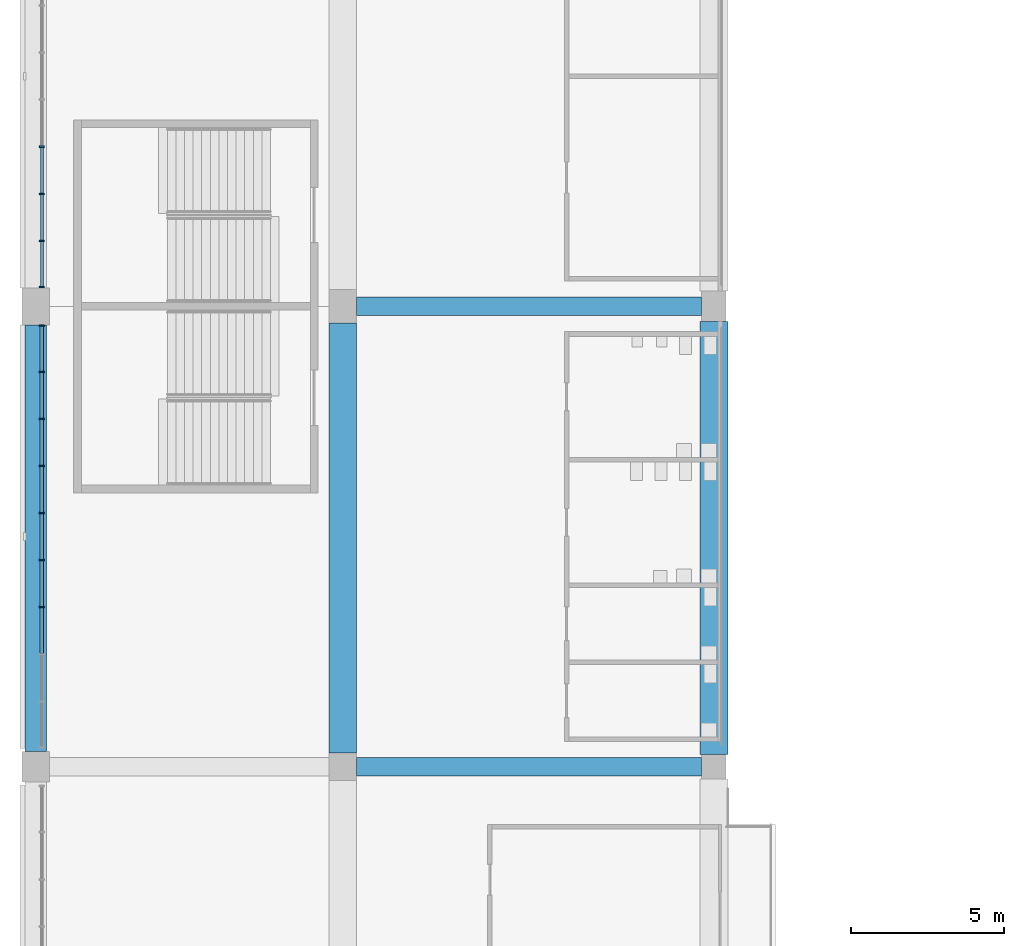
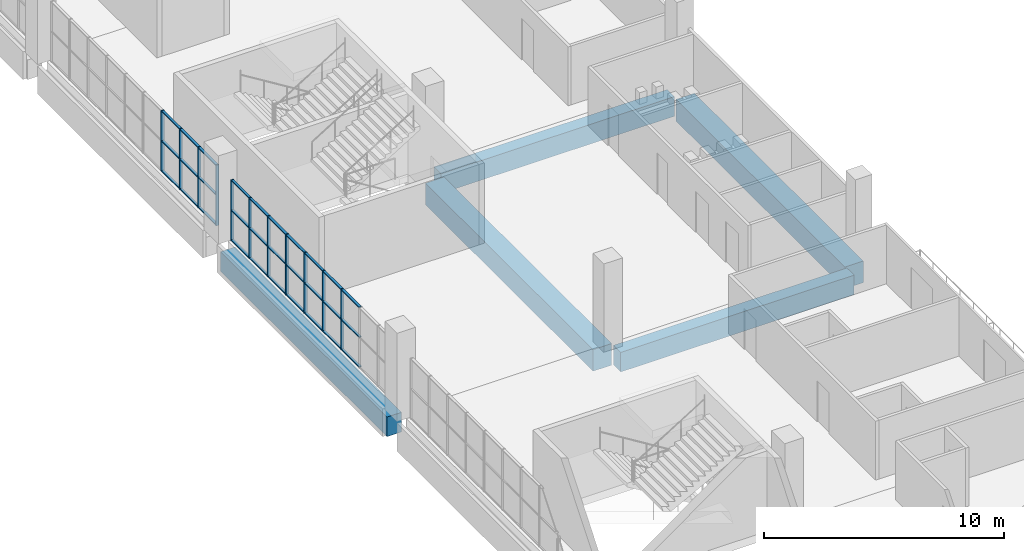
# One storey, part 18 of 199: 41 members, 5 beams, 2 elements without a shape of their own.
"""IFC4 building model written with IfcOpenShell, lengths in metres."""

from ifc_helpers import new_model, si_unit, direction, frame, origin, origin_2d, place, context, subcontext, project, spatial, rectangle, extrude, material, material_profile, profile_set, type_object, element, aggregate, save


model = new_model("IFC4")

# Units and contexts
model_context = context("Model", 3, precision=1e-05, world=origin(), true_north=direction((0.0, 1.0)))
body_context = subcontext(model_context, "Body", "Model", "MODEL_VIEW")
ifc_project = project(units=[si_unit("LENGTHUNIT", "METRE"), si_unit("AREAUNIT", "SQUARE_METRE"), si_unit("VOLUMEUNIT", "CUBIC_METRE"), si_unit("PLANEANGLEUNIT", "RADIAN"), si_unit("MASSUNIT", "GRAM", prefix="KILO")], contexts=[model_context])

# Site, building, storey
site_placement = place(None, origin())
site = spatial("IfcSite", under=ifc_project, at=site_placement, CompositionType="ELEMENT")
building_placement = place(site_placement, origin())
building = spatial("IfcBuilding", under=site, at=building_placement, Name="Ogive Plaza Stadium", CompositionType="ELEMENT")
storey_placement = place(building_placement, frame((0.0, 0.0, 9.0)))
storey = spatial("IfcBuildingStorey", under=building, at=storey_placement, Name="L02", CompositionType="ELEMENT", Elevation=9.0)

# Curtain wall, members
ifc_material_1 = material(Name="Bronze-anodised aluminium with laminated glass", Category="aluminium")
curtain_wall_type = type_object("IfcCurtainWallType", Name="Lancet curtain wall", PredefinedType="NOTDEFINED", material=ifc_material_1)
curtain_wall_1_placement = place(storey_placement, origin())
curtain_wall_1 = element("IfcCurtainWall", 1, at=curtain_wall_1_placement, inside=storey, type_object=curtain_wall_type, Name="CURTAIN WALL B23 L02", PredefinedType="NOTDEFINED")
ifc_material_2 = material(Name="Bronze-anodised aluminium", Category="aluminium")
ifc_material_profile_1 = material_profile(ifc_material_2, rectangle(XDim=0.14990234375, YDim=0.050048828125, at=origin_2d()), Name="AL 150x50")
ifc_profile_set_1 = profile_set([ifc_material_profile_1], Name="Bronze-anodised aluminium")
member_type_1 = type_object("IfcMemberType", Name="Curtain wall mullion 50x150", PredefinedType="MULLION", material=ifc_profile_set_1)
member_1_placement = place(storey_placement, frame((-83.800048828125, -17.300048828125, 0.0), z_axis=(0.0, 0.0, 1.0), x_axis=(-1.0, 0.0, 0.0)))
member_1 = element("IfcMember", 2, at=member_1_placement, type_object=member_type_1, Name="CW-B23-L02 mullion 4", PredefinedType="MULLION", context=body_context, shape_type="SweptSolid", body=[
    extrude(rectangle(XDim=0.14990234375, YDim=0.050048828125, at=origin_2d()), origin(), (0.0, 0.0, 1.0), 3.090087890625),
])
member_2_placement = place(storey_placement, frame((-83.800048828125, -15.7666015625, 0.0), z_axis=(0.0, 0.0, 1.0), x_axis=(-1.0, 0.0, 0.0)))
member_2 = element("IfcMember", 3, at=member_2_placement, type_object=member_type_1, Name="CW-B23-L02 mullion 5", PredefinedType="MULLION", context=body_context, shape_type="SweptSolid", body=[
    extrude(rectangle(XDim=0.14990234375, YDim=0.050048828125, at=origin_2d()), origin(), (0.0, 0.0, 1.0), 3.090087890625),
])
member_3_placement = place(storey_placement, frame((-83.800048828125, -14.2333984375, 0.0), z_axis=(0.0, 0.0, 1.0), x_axis=(-1.0, 0.0, 0.0)))
member_3 = element("IfcMember", 4, at=member_3_placement, type_object=member_type_1, Name="CW-B23-L02 mullion 6", PredefinedType="MULLION", context=body_context, shape_type="SweptSolid", body=[
    extrude(rectangle(XDim=0.14990234375, YDim=0.050048828125, at=origin_2d()), origin(), (0.0, 0.0, 1.0), 3.090087890625),
])
member_4_placement = place(storey_placement, frame((-83.800048828125, -12.699951171875, 0.0), z_axis=(0.0, 0.0, 1.0), x_axis=(-1.0, 0.0, 0.0)))
member_4 = element("IfcMember", 5, at=member_4_placement, type_object=member_type_1, Name="CW-B23-L02 mullion 7", PredefinedType="MULLION", context=body_context, shape_type="SweptSolid", body=[
    extrude(rectangle(XDim=0.14990234375, YDim=0.050048828125, at=origin_2d()), origin(), (0.0, 0.0, 1.0), 3.090087890625),
])
member_5_placement = place(storey_placement, frame((-83.800048828125, -11.166748046875, 0.0), z_axis=(0.0, 0.0, 1.0), x_axis=(-1.0, 0.0, 0.0)))
member_5 = element("IfcMember", 6, at=member_5_placement, type_object=member_type_1, Name="CW-B23-L02 mullion 8", PredefinedType="MULLION", context=body_context, shape_type="SweptSolid", body=[
    extrude(rectangle(XDim=0.14990234375, YDim=0.050048828125, at=origin_2d()), origin(), (0.0, 0.0, 1.0), 3.090087890625),
])
member_6_placement = place(storey_placement, frame((-83.800048828125, -9.63330078125, 0.0), z_axis=(0.0, 0.0, 1.0), x_axis=(-1.0, 0.0, 0.0)))
member_6 = element("IfcMember", 7, at=member_6_placement, type_object=member_type_1, Name="CW-B23-L02 mullion 9", PredefinedType="MULLION", context=body_context, shape_type="SweptSolid", body=[
    extrude(rectangle(XDim=0.14990234375, YDim=0.050048828125, at=origin_2d()), origin(), (0.0, 0.0, 1.0), 3.090087890625),
])
member_7_placement = place(storey_placement, frame((-83.800048828125, -8.125, 0.0), z_axis=(0.0, 0.0, 1.0), x_axis=(-1.0, 0.0, 0.0)))
member_7 = element("IfcMember", 8, at=member_7_placement, type_object=member_type_1, Name="CW-B23-L02 mullion 10", PredefinedType="MULLION", context=body_context, shape_type="SweptSolid", body=[
    extrude(rectangle(XDim=0.14990234375, YDim=0.050048828125, at=origin_2d()), origin(), (0.0, 0.0, 1.0), 3.090087890625),
])

curtain_wall_2_placement = place(storey_placement, origin())
curtain_wall_2 = element("IfcCurtainWall", 9, at=curtain_wall_2_placement, inside=storey, type_object=curtain_wall_type, Name="CURTAIN WALL B24 L02", PredefinedType="NOTDEFINED")
member_8_placement = place(storey_placement, frame((-83.800048828125, -6.875, 0.0), z_axis=(0.0, 0.0, 1.0), x_axis=(-1.0, 0.0, 0.0)))
member_8 = element("IfcMember", 10, at=member_8_placement, type_object=member_type_1, Name="CW-B24-L02 mullion 1", PredefinedType="MULLION", context=body_context, shape_type="SweptSolid", body=[
    extrude(rectangle(XDim=0.14990234375, YDim=0.050048828125, at=origin_2d()), origin(), (0.0, 0.0, 1.0), 3.090087890625),
])
member_9_placement = place(storey_placement, frame((-83.800048828125, -5.36669921875, 0.0), z_axis=(0.0, 0.0, 1.0), x_axis=(-1.0, 0.0, 0.0)))
member_9 = element("IfcMember", 11, at=member_9_placement, type_object=member_type_1, Name="CW-B24-L02 mullion 2", PredefinedType="MULLION", context=body_context, shape_type="SweptSolid", body=[
    extrude(rectangle(XDim=0.14990234375, YDim=0.050048828125, at=origin_2d()), origin(), (0.0, 0.0, 1.0), 3.090087890625),
])
member_10_placement = place(storey_placement, frame((-83.800048828125, -3.833251953125, 0.0), z_axis=(0.0, 0.0, 1.0), x_axis=(-1.0, 0.0, 0.0)))
member_10 = element("IfcMember", 12, at=member_10_placement, type_object=member_type_1, Name="CW-B24-L02 mullion 3", PredefinedType="MULLION", context=body_context, shape_type="SweptSolid", body=[
    extrude(rectangle(XDim=0.14990234375, YDim=0.050048828125, at=origin_2d()), origin(), (0.0, 0.0, 1.0), 3.090087890625),
])
member_11_placement = place(storey_placement, frame((-83.800048828125, -2.300048828125, 0.0), z_axis=(0.0, 0.0, 1.0), x_axis=(-1.0, 0.0, 0.0)))
member_11 = element("IfcMember", 13, at=member_11_placement, type_object=member_type_1, Name="CW-B24-L02 mullion 4", PredefinedType="MULLION", context=body_context, shape_type="SweptSolid", body=[
    extrude(rectangle(XDim=0.14990234375, YDim=0.050048828125, at=origin_2d()), origin(), (0.0, 0.0, 1.0), 3.090087890625),
])

# Member
ifc_material_3 = material(Name="Bronze-anodised aluminium", Category="aluminium")
ifc_material_profile_2 = material_profile(ifc_material_3, rectangle(XDim=0.1201171875, YDim=0.050048828125, at=origin_2d()), Name="AL 120x50")
ifc_profile_set_2 = profile_set([ifc_material_profile_2], Name="Bronze-anodised aluminium")
member_type_2 = type_object("IfcMemberType", Name="Curtain wall transom 50x120", PredefinedType="USERDEFINED", material=ifc_profile_set_2)
member_12_placement = place(storey_placement, frame((-83.800048828125, -18.808349609375, 0.02490234375), z_axis=(0.0, 1.0, 0.0), x_axis=(-1.0, 0.0, 0.0)))
member_12 = element("IfcMember", 14, at=member_12_placement, type_object=member_type_2, Name="CW-B23-L02 transom 3.1", ObjectType="TRANSOM", PredefinedType="USERDEFINED", context=body_context, shape_type="SweptSolid", body=[
    extrude(rectangle(XDim=0.1201171875, YDim=0.050048828125, at=origin_2d()), origin(), (0.0, 0.0, 1.0), 1.4833984375),
])

member_13_placement = place(storey_placement, frame((-83.800048828125, -18.808349609375, 1.544921875), z_axis=(0.0, 1.0, 0.0), x_axis=(-1.0, 0.0, 0.0)))
member_13 = element("IfcMember", 15, at=member_13_placement, type_object=member_type_2, Name="CW-B23-L02 transom 3.2", ObjectType="TRANSOM", PredefinedType="USERDEFINED", context=body_context, shape_type="SweptSolid", body=[
    extrude(rectangle(XDim=0.1201171875, YDim=0.050048828125, at=origin_2d()), origin(), (0.0, 0.0, 1.0), 1.4833984375),
])

member_14_placement = place(storey_placement, frame((-83.800048828125, -18.808349609375, 3.06494140625), z_axis=(0.0, 1.0, 0.0), x_axis=(-1.0, 0.0, 0.0)))
member_14 = element("IfcMember", 16, at=member_14_placement, type_object=member_type_2, Name="CW-B23-L02 transom 3.3", ObjectType="TRANSOM", PredefinedType="USERDEFINED", context=body_context, shape_type="SweptSolid", body=[
    extrude(rectangle(XDim=0.1201171875, YDim=0.050048828125, at=origin_2d()), origin(), (0.0, 0.0, 1.0), 1.4833984375),
])

member_15_placement = place(storey_placement, frame((-83.800048828125, -17.27490234375, 0.02490234375), z_axis=(0.0, 1.0, 0.0), x_axis=(-1.0, 0.0, 0.0)))
member_15 = element("IfcMember", 17, at=member_15_placement, type_object=member_type_2, Name="CW-B23-L02 transom 4.1", ObjectType="TRANSOM", PredefinedType="USERDEFINED", context=body_context, shape_type="SweptSolid", body=[
    extrude(rectangle(XDim=0.1201171875, YDim=0.050048828125, at=origin_2d()), origin(), (0.0, 0.0, 1.0), 1.483154296875),
])

member_16_placement = place(storey_placement, frame((-83.800048828125, -17.27490234375, 1.544921875), z_axis=(0.0, 1.0, 0.0), x_axis=(-1.0, 0.0, 0.0)))
member_16 = element("IfcMember", 18, at=member_16_placement, type_object=member_type_2, Name="CW-B23-L02 transom 4.2", ObjectType="TRANSOM", PredefinedType="USERDEFINED", context=body_context, shape_type="SweptSolid", body=[
    extrude(rectangle(XDim=0.1201171875, YDim=0.050048828125, at=origin_2d()), origin(), (0.0, 0.0, 1.0), 1.483154296875),
])

member_17_placement = place(storey_placement, frame((-83.800048828125, -17.27490234375, 3.06494140625), z_axis=(0.0, 1.0, 0.0), x_axis=(-1.0, 0.0, 0.0)))
member_17 = element("IfcMember", 19, at=member_17_placement, type_object=member_type_2, Name="CW-B23-L02 transom 4.3", ObjectType="TRANSOM", PredefinedType="USERDEFINED", context=body_context, shape_type="SweptSolid", body=[
    extrude(rectangle(XDim=0.1201171875, YDim=0.050048828125, at=origin_2d()), origin(), (0.0, 0.0, 1.0), 1.483154296875),
])

member_18_placement = place(storey_placement, frame((-83.800048828125, -15.74169921875, 0.02490234375), z_axis=(0.0, 1.0, 0.0), x_axis=(-1.0, 0.0, 0.0)))
member_18 = element("IfcMember", 20, at=member_18_placement, type_object=member_type_2, Name="CW-B23-L02 transom 5.1", ObjectType="TRANSOM", PredefinedType="USERDEFINED", context=body_context, shape_type="SweptSolid", body=[
    extrude(rectangle(XDim=0.1201171875, YDim=0.050048828125, at=origin_2d()), origin(), (0.0, 0.0, 1.0), 1.4833984375),
])

member_19_placement = place(storey_placement, frame((-83.800048828125, -15.74169921875, 1.544921875), z_axis=(0.0, 1.0, 0.0), x_axis=(-1.0, 0.0, 0.0)))
member_19 = element("IfcMember", 21, at=member_19_placement, type_object=member_type_2, Name="CW-B23-L02 transom 5.2", ObjectType="TRANSOM", PredefinedType="USERDEFINED", context=body_context, shape_type="SweptSolid", body=[
    extrude(rectangle(XDim=0.1201171875, YDim=0.050048828125, at=origin_2d()), origin(), (0.0, 0.0, 1.0), 1.4833984375),
])

member_20_placement = place(storey_placement, frame((-83.800048828125, -15.74169921875, 3.06494140625), z_axis=(0.0, 1.0, 0.0), x_axis=(-1.0, 0.0, 0.0)))
member_20 = element("IfcMember", 22, at=member_20_placement, type_object=member_type_2, Name="CW-B23-L02 transom 5.3", ObjectType="TRANSOM", PredefinedType="USERDEFINED", context=body_context, shape_type="SweptSolid", body=[
    extrude(rectangle(XDim=0.1201171875, YDim=0.050048828125, at=origin_2d()), origin(), (0.0, 0.0, 1.0), 1.4833984375),
])

member_21_placement = place(storey_placement, frame((-83.800048828125, -14.208251953125, 0.02490234375), z_axis=(0.0, 1.0, 0.0), x_axis=(-1.0, 0.0, 0.0)))
member_21 = element("IfcMember", 23, at=member_21_placement, type_object=member_type_2, Name="CW-B23-L02 transom 6.1", ObjectType="TRANSOM", PredefinedType="USERDEFINED", context=body_context, shape_type="SweptSolid", body=[
    extrude(rectangle(XDim=0.1201171875, YDim=0.050048828125, at=origin_2d()), origin(), (0.0, 0.0, 1.0), 1.483154296875),
])

member_22_placement = place(storey_placement, frame((-83.800048828125, -14.208251953125, 1.544921875), z_axis=(0.0, 1.0, 0.0), x_axis=(-1.0, 0.0, 0.0)))
member_22 = element("IfcMember", 24, at=member_22_placement, type_object=member_type_2, Name="CW-B23-L02 transom 6.2", ObjectType="TRANSOM", PredefinedType="USERDEFINED", context=body_context, shape_type="SweptSolid", body=[
    extrude(rectangle(XDim=0.1201171875, YDim=0.050048828125, at=origin_2d()), origin(), (0.0, 0.0, 1.0), 1.483154296875),
])

member_23_placement = place(storey_placement, frame((-83.800048828125, -14.208251953125, 3.06494140625), z_axis=(0.0, 1.0, 0.0), x_axis=(-1.0, 0.0, 0.0)))
member_23 = element("IfcMember", 25, at=member_23_placement, type_object=member_type_2, Name="CW-B23-L02 transom 6.3", ObjectType="TRANSOM", PredefinedType="USERDEFINED", context=body_context, shape_type="SweptSolid", body=[
    extrude(rectangle(XDim=0.1201171875, YDim=0.050048828125, at=origin_2d()), origin(), (0.0, 0.0, 1.0), 1.483154296875),
])

member_24_placement = place(storey_placement, frame((-83.800048828125, -12.675048828125, 0.02490234375), z_axis=(0.0, 1.0, 0.0), x_axis=(-1.0, 0.0, 0.0)))
member_24 = element("IfcMember", 26, at=member_24_placement, type_object=member_type_2, Name="CW-B23-L02 transom 7.1", ObjectType="TRANSOM", PredefinedType="USERDEFINED", context=body_context, shape_type="SweptSolid", body=[
    extrude(rectangle(XDim=0.1201171875, YDim=0.050048828125, at=origin_2d()), origin(), (0.0, 0.0, 1.0), 1.4833984375),
])

member_25_placement = place(storey_placement, frame((-83.800048828125, -12.675048828125, 1.544921875), z_axis=(0.0, 1.0, 0.0), x_axis=(-1.0, 0.0, 0.0)))
member_25 = element("IfcMember", 27, at=member_25_placement, type_object=member_type_2, Name="CW-B23-L02 transom 7.2", ObjectType="TRANSOM", PredefinedType="USERDEFINED", context=body_context, shape_type="SweptSolid", body=[
    extrude(rectangle(XDim=0.1201171875, YDim=0.050048828125, at=origin_2d()), origin(), (0.0, 0.0, 1.0), 1.4833984375),
])

member_26_placement = place(storey_placement, frame((-83.800048828125, -12.675048828125, 3.06494140625), z_axis=(0.0, 1.0, 0.0), x_axis=(-1.0, 0.0, 0.0)))
member_26 = element("IfcMember", 28, at=member_26_placement, type_object=member_type_2, Name="CW-B23-L02 transom 7.3", ObjectType="TRANSOM", PredefinedType="USERDEFINED", context=body_context, shape_type="SweptSolid", body=[
    extrude(rectangle(XDim=0.1201171875, YDim=0.050048828125, at=origin_2d()), origin(), (0.0, 0.0, 1.0), 1.4833984375),
])

member_27_placement = place(storey_placement, frame((-83.800048828125, -11.1416015625, 0.02490234375), z_axis=(0.0, 1.0, 0.0), x_axis=(-1.0, 0.0, 0.0)))
member_27 = element("IfcMember", 29, at=member_27_placement, type_object=member_type_2, Name="CW-B23-L02 transom 8.1", ObjectType="TRANSOM", PredefinedType="USERDEFINED", context=body_context, shape_type="SweptSolid", body=[
    extrude(rectangle(XDim=0.1201171875, YDim=0.050048828125, at=origin_2d()), origin(), (0.0, 0.0, 1.0), 1.483154296875),
])

member_28_placement = place(storey_placement, frame((-83.800048828125, -11.1416015625, 1.544921875), z_axis=(0.0, 1.0, 0.0), x_axis=(-1.0, 0.0, 0.0)))
member_28 = element("IfcMember", 30, at=member_28_placement, type_object=member_type_2, Name="CW-B23-L02 transom 8.2", ObjectType="TRANSOM", PredefinedType="USERDEFINED", context=body_context, shape_type="SweptSolid", body=[
    extrude(rectangle(XDim=0.1201171875, YDim=0.050048828125, at=origin_2d()), origin(), (0.0, 0.0, 1.0), 1.483154296875),
])

member_29_placement = place(storey_placement, frame((-83.800048828125, -11.1416015625, 3.06494140625), z_axis=(0.0, 1.0, 0.0), x_axis=(-1.0, 0.0, 0.0)))
member_29 = element("IfcMember", 31, at=member_29_placement, type_object=member_type_2, Name="CW-B23-L02 transom 8.3", ObjectType="TRANSOM", PredefinedType="USERDEFINED", context=body_context, shape_type="SweptSolid", body=[
    extrude(rectangle(XDim=0.1201171875, YDim=0.050048828125, at=origin_2d()), origin(), (0.0, 0.0, 1.0), 1.483154296875),
])

member_30_placement = place(storey_placement, frame((-83.800048828125, -9.6083984375, 0.02490234375), z_axis=(0.0, 1.0, 0.0), x_axis=(-1.0, 0.0, 0.0)))
member_30 = element("IfcMember", 32, at=member_30_placement, type_object=member_type_2, Name="CW-B23-L02 transom 9.1", ObjectType="TRANSOM", PredefinedType="USERDEFINED", context=body_context, shape_type="SweptSolid", body=[
    extrude(rectangle(XDim=0.1201171875, YDim=0.050048828125, at=origin_2d()), origin(), (0.0, 0.0, 1.0), 1.45849609375),
])

member_31_placement = place(storey_placement, frame((-83.800048828125, -9.6083984375, 1.544921875), z_axis=(0.0, 1.0, 0.0), x_axis=(-1.0, 0.0, 0.0)))
member_31 = element("IfcMember", 33, at=member_31_placement, type_object=member_type_2, Name="CW-B23-L02 transom 9.2", ObjectType="TRANSOM", PredefinedType="USERDEFINED", context=body_context, shape_type="SweptSolid", body=[
    extrude(rectangle(XDim=0.1201171875, YDim=0.050048828125, at=origin_2d()), origin(), (0.0, 0.0, 1.0), 1.45849609375),
])

member_32_placement = place(storey_placement, frame((-83.800048828125, -9.6083984375, 3.06494140625), z_axis=(0.0, 1.0, 0.0), x_axis=(-1.0, 0.0, 0.0)))
member_32 = element("IfcMember", 34, at=member_32_placement, type_object=member_type_2, Name="CW-B23-L02 transom 9.3", ObjectType="TRANSOM", PredefinedType="USERDEFINED", context=body_context, shape_type="SweptSolid", body=[
    extrude(rectangle(XDim=0.1201171875, YDim=0.050048828125, at=origin_2d()), origin(), (0.0, 0.0, 1.0), 1.45849609375),
])

aggregate(curtain_wall_1, [member_1, member_2, member_3, member_4, member_5, member_6, member_7, member_12, member_13, member_14, member_15, member_16, member_17, member_18, member_19, member_20, member_21, member_22, member_23, member_24, member_25, member_26, member_27, member_28, member_29, member_30, member_31, member_32])

member_33_placement = place(storey_placement, frame((-83.800048828125, -6.85009765625, 0.02490234375), z_axis=(0.0, 1.0, 0.0), x_axis=(-1.0, 0.0, 0.0)))
member_33 = element("IfcMember", 35, at=member_33_placement, type_object=member_type_2, Name="CW-B24-L02 transom 1.1", ObjectType="TRANSOM", PredefinedType="USERDEFINED", context=body_context, shape_type="SweptSolid", body=[
    extrude(rectangle(XDim=0.1201171875, YDim=0.050048828125, at=origin_2d()), origin(), (0.0, 0.0, 1.0), 1.45849609375),
])

member_34_placement = place(storey_placement, frame((-83.800048828125, -6.85009765625, 1.544921875), z_axis=(0.0, 1.0, 0.0), x_axis=(-1.0, 0.0, 0.0)))
member_34 = element("IfcMember", 36, at=member_34_placement, type_object=member_type_2, Name="CW-B24-L02 transom 1.2", ObjectType="TRANSOM", PredefinedType="USERDEFINED", context=body_context, shape_type="SweptSolid", body=[
    extrude(rectangle(XDim=0.1201171875, YDim=0.050048828125, at=origin_2d()), origin(), (0.0, 0.0, 1.0), 1.45849609375),
])

member_35_placement = place(storey_placement, frame((-83.800048828125, -6.85009765625, 3.06494140625), z_axis=(0.0, 1.0, 0.0), x_axis=(-1.0, 0.0, 0.0)))
member_35 = element("IfcMember", 37, at=member_35_placement, type_object=member_type_2, Name="CW-B24-L02 transom 1.3", ObjectType="TRANSOM", PredefinedType="USERDEFINED", context=body_context, shape_type="SweptSolid", body=[
    extrude(rectangle(XDim=0.1201171875, YDim=0.050048828125, at=origin_2d()), origin(), (0.0, 0.0, 1.0), 1.45849609375),
])

member_36_placement = place(storey_placement, frame((-83.800048828125, -5.341552734375, 0.02490234375), z_axis=(0.0, 1.0, 0.0), x_axis=(-1.0, 0.0, 0.0)))
member_36 = element("IfcMember", 38, at=member_36_placement, type_object=member_type_2, Name="CW-B24-L02 transom 2.1", ObjectType="TRANSOM", PredefinedType="USERDEFINED", context=body_context, shape_type="SweptSolid", body=[
    extrude(rectangle(XDim=0.1201171875, YDim=0.050048828125, at=origin_2d()), origin(), (0.0, 0.0, 1.0), 1.483154296875),
])

member_37_placement = place(storey_placement, frame((-83.800048828125, -5.341552734375, 1.544921875), z_axis=(0.0, 1.0, 0.0), x_axis=(-1.0, 0.0, 0.0)))
member_37 = element("IfcMember", 39, at=member_37_placement, type_object=member_type_2, Name="CW-B24-L02 transom 2.2", ObjectType="TRANSOM", PredefinedType="USERDEFINED", context=body_context, shape_type="SweptSolid", body=[
    extrude(rectangle(XDim=0.1201171875, YDim=0.050048828125, at=origin_2d()), origin(), (0.0, 0.0, 1.0), 1.483154296875),
])

member_38_placement = place(storey_placement, frame((-83.800048828125, -5.341552734375, 3.06494140625), z_axis=(0.0, 1.0, 0.0), x_axis=(-1.0, 0.0, 0.0)))
member_38 = element("IfcMember", 40, at=member_38_placement, type_object=member_type_2, Name="CW-B24-L02 transom 2.3", ObjectType="TRANSOM", PredefinedType="USERDEFINED", context=body_context, shape_type="SweptSolid", body=[
    extrude(rectangle(XDim=0.1201171875, YDim=0.050048828125, at=origin_2d()), origin(), (0.0, 0.0, 1.0), 1.483154296875),
])

member_39_placement = place(storey_placement, frame((-83.800048828125, -3.808349609375, 0.02490234375), z_axis=(0.0, 1.0, 0.0), x_axis=(-1.0, 0.0, 0.0)))
member_39 = element("IfcMember", 41, at=member_39_placement, type_object=member_type_2, Name="CW-B24-L02 transom 3.1", ObjectType="TRANSOM", PredefinedType="USERDEFINED", context=body_context, shape_type="SweptSolid", body=[
    extrude(rectangle(XDim=0.1201171875, YDim=0.050048828125, at=origin_2d()), origin(), (0.0, 0.0, 1.0), 1.4833984375),
])

member_40_placement = place(storey_placement, frame((-83.800048828125, -3.808349609375, 1.544921875), z_axis=(0.0, 1.0, 0.0), x_axis=(-1.0, 0.0, 0.0)))
member_40 = element("IfcMember", 42, at=member_40_placement, type_object=member_type_2, Name="CW-B24-L02 transom 3.2", ObjectType="TRANSOM", PredefinedType="USERDEFINED", context=body_context, shape_type="SweptSolid", body=[
    extrude(rectangle(XDim=0.1201171875, YDim=0.050048828125, at=origin_2d()), origin(), (0.0, 0.0, 1.0), 1.4833984375),
])

member_41_placement = place(storey_placement, frame((-83.800048828125, -3.808349609375, 3.06494140625), z_axis=(0.0, 1.0, 0.0), x_axis=(-1.0, 0.0, 0.0)))
member_41 = element("IfcMember", 43, at=member_41_placement, type_object=member_type_2, Name="CW-B24-L02 transom 3.3", ObjectType="TRANSOM", PredefinedType="USERDEFINED", context=body_context, shape_type="SweptSolid", body=[
    extrude(rectangle(XDim=0.1201171875, YDim=0.050048828125, at=origin_2d()), origin(), (0.0, 0.0, 1.0), 1.4833984375),
])

aggregate(curtain_wall_2, [member_8, member_9, member_10, member_11, member_33, member_34, member_35, member_36, member_37, member_38, member_39, member_40, member_41])

# Beams
ifc_material_4 = material(Name="Concrete C40/50", Category="concrete")
ifc_material_profile_3 = material_profile(ifc_material_4, rectangle(XDim=0.60009765625, YDim=1.0, at=origin_2d()), Name="RC 600x1000")
ifc_profile_set_3 = profile_set([ifc_material_profile_3], Name="Concrete C40/50")
beam_type_1 = type_object("IfcBeamType", Name="RC radial beam 600x1000", PredefinedType="BEAM", material=ifc_profile_set_3)
for number, where, z_axis, x_axis, name in (
    (44, (-62.300048828125, -22.5, -0.909912109375), (-1.0, 0.0, 0.0), (0.0, -1.0, 0.0), "Radial beam L02 R23 F3F4"),
    (45, (-62.300048828125, -7.5, -0.909912109375), (-1.0, 0.0, 0.0), (0.0, -1.0, 0.0), "Radial beam L02 R24 F3F4"),
):
    element("IfcBeam", number, at=place(storey_placement, frame(where, z_axis=z_axis, x_axis=x_axis)), inside=storey, type_object=beam_type_1, Name=name, PredefinedType="BEAM", context=body_context, shape_type="SweptSolid", body=[
        extrude(rectangle(XDim=0.60009765625, YDim=1.0, at=origin_2d()), origin(), (0.0, 0.0, 1.0), 11.25),
    ])
ifc_material_5 = material(Name="Concrete C40/50", Category="concrete")
ifc_material_profile_4 = material_profile(ifc_material_5, rectangle(XDim=0.89990234375, YDim=1.10009765625, at=origin_2d()), Name="RC 900x1100")
ifc_profile_set_4 = profile_set([ifc_material_profile_4], Name="Concrete C40/50")
beam_type_2 = type_object("IfcBeamType", Name="RC ring beam 900x1100", PredefinedType="BEAM", material=ifc_profile_set_4)
beam_1_placement = place(storey_placement, frame((-74.0, -22.050048828125, -0.9599609375), z_axis=(0.0, 1.0, 0.0), x_axis=(-1.0, 0.0, 0.0)))
element("IfcBeam", 46, at=beam_1_placement, inside=storey, type_object=beam_type_2, Name="Ring beam F4 L02 B23", PredefinedType="BEAM", context=body_context, shape_type="SweptSolid", body=[
    extrude(rectangle(XDim=0.89990234375, YDim=1.10009765625, at=origin_2d()), origin(), (0.0, 0.0, 1.0), 14.0),
])
beam_2_placement = place(storey_placement, frame((-61.89990234375, -22.10009765625, -0.9599609375), z_axis=(0.0, 1.0, 0.0), x_axis=(-1.0, 0.0, 0.0)))
element("IfcBeam", 47, at=beam_2_placement, inside=storey, type_object=beam_type_2, Name="Ring beam F3 L02 B23", PredefinedType="BEAM", context=body_context, shape_type="SweptSolid", body=[
    extrude(rectangle(XDim=0.89990234375, YDim=1.10009765625, at=origin_2d()), origin(), (0.0, 0.0, 1.0), 14.10009765625),
])
ifc_material_6 = material(Name="Concrete C40/50", Category="concrete")
ifc_material_profile_5 = material_profile(ifc_material_6, rectangle(XDim=0.699951171875, YDim=1.0, at=origin_2d()), Name="RC 700x1000")
ifc_profile_set_5 = profile_set([ifc_material_profile_5], Name="Concrete C40/50")
beam_type_3 = type_object("IfcBeamType", Name="RC spandrel beam 700x1000", PredefinedType="SPANDREL", material=ifc_profile_set_5)
beam_3_placement = place(storey_placement, frame((-84.0, -22.0, -0.909912109375), z_axis=(0.0, 1.0, 0.0), x_axis=(-1.0, 0.0, 0.0)))
element("IfcBeam", 48, at=beam_3_placement, inside=storey, type_object=beam_type_3, Name="Ring beam F5 L02 B23", PredefinedType="SPANDREL", context=body_context, shape_type="SweptSolid", body=[
    extrude(rectangle(XDim=0.699951171875, YDim=1.0, at=origin_2d()), origin(), (0.0, 0.0, 1.0), 13.89990234375),
])

save(model, "model.ifc")
